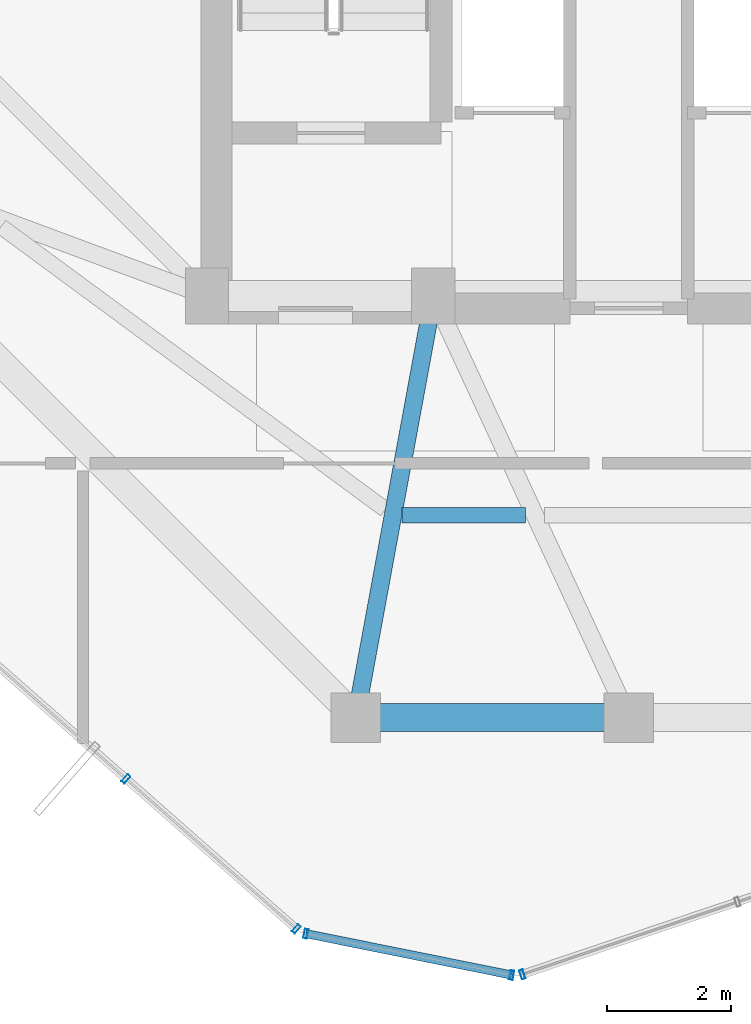
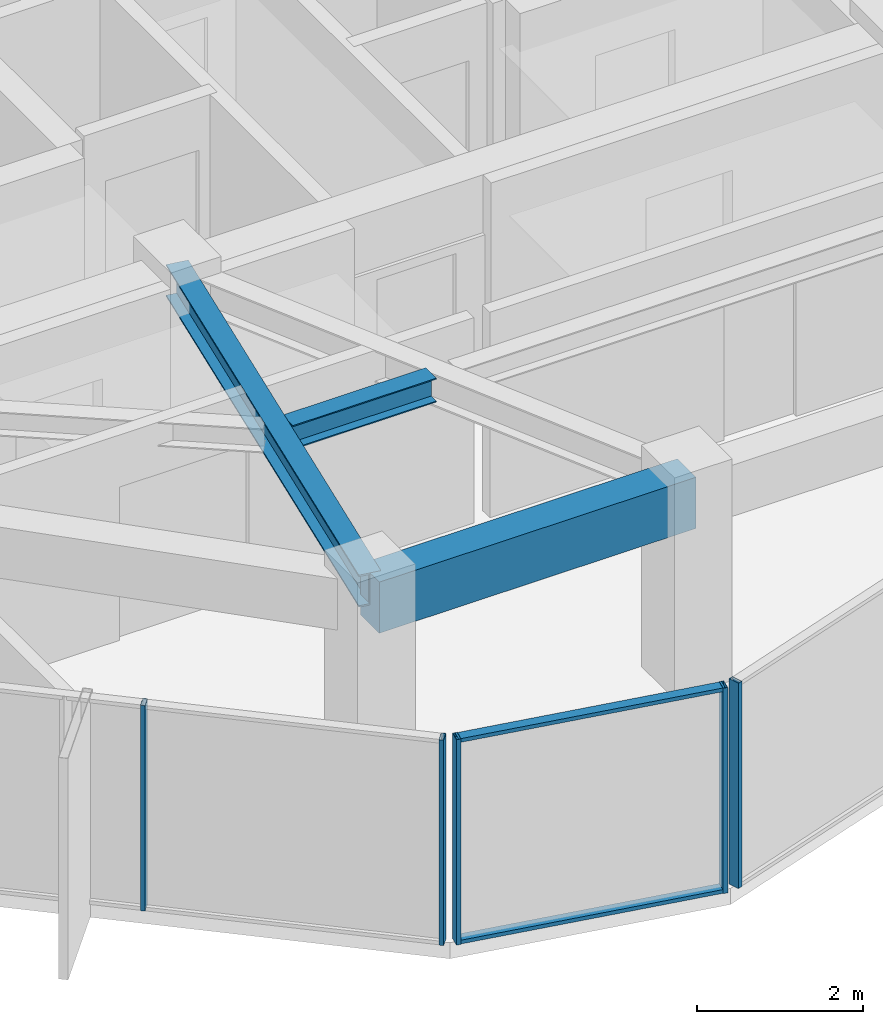
# One storey, part 4 of 28: 7 members, 3 beams, 3 elements without a shape of their own.
"""IFC4 building model written with IfcOpenShell, lengths in metres."""

from ifc_helpers import new_model, si_unit, direction, frame, origin, origin_2d, place, context, subcontext, project, spatial, rectangle, hollow_rectangle, i_section, extrude, source, transform, mapped, material, layer, layer_set, material_profile, profile_set, type_object, element, aggregate, save


model = new_model("IFC4")

# Units and contexts
model_context = context("Model", 3, precision=1e-05, world=origin(), true_north=direction((0.0, 1.0)))
body_context = subcontext(model_context, "Body", "Model", "MODEL_VIEW")
ifc_project = project(units=[si_unit("LENGTHUNIT", "METRE"), si_unit("AREAUNIT", "SQUARE_METRE"), si_unit("VOLUMEUNIT", "CUBIC_METRE"), si_unit("PLANEANGLEUNIT", "RADIAN"), si_unit("MASSUNIT", "GRAM", prefix="KILO")], contexts=[model_context])

# Site, building, storey
site_placement = place(None, origin())
site = spatial("IfcSite", under=ifc_project, at=site_placement, CompositionType="ELEMENT")
building_placement = place(site_placement, origin())
building = spatial("IfcBuilding", under=site, at=building_placement, Name="Veraguas Prism Commons", CompositionType="ELEMENT")
storey_placement = place(building_placement, frame((0.0, 0.0, 248.0)))
storey = spatial("IfcBuildingStorey", under=building, at=storey_placement, Name="L70", CompositionType="ELEMENT", Elevation=248.0)

# Beams
ifc_material_1 = material(Name="Concrete C50/60", Category="concrete")
ifc_material_profile_1 = material_profile(ifc_material_1, rectangle(XDim=0.449951171875, YDim=0.75, at=origin_2d()), Name="RC450X750")
ifc_profile_set_1 = profile_set([ifc_material_profile_1], Name="Concrete C50/60")
beam_type_1 = type_object("IfcBeamType", Name="Perimeter Spandrel Upper RC 450x750", PredefinedType="SPANDREL", material=ifc_profile_set_1)
beam_1_placement = place(storey_placement, frame((19.60009765625, 10.199951171875, 2.639892578125), z_axis=(1.0, 0.0, 0.0), x_axis=(0.0, 1.0, 0.0)))
element("IfcBeam", 1, at=beam_1_placement, inside=storey, type_object=beam_type_1, Name="Perimeter Spandrel Beam L70-SP10", PredefinedType="SPANDREL", context=body_context, shape_type="SweptSolid", body=[
    extrude(rectangle(XDim=0.449951171875, YDim=0.75, at=origin_2d()), origin(), (0.0, 0.0, 1.0), 4.39990234375),
])
ifc_material_2 = material(Name="Steel ASTM A992 Grade 50", Category="steel")
ifc_material_profile_2 = material_profile(ifc_material_2, i_section(OverallWidth=0.25390625, OverallDepth=0.35302734375, WebThickness=0.009521484375, FlangeThickness=0.016357421875, at=origin_2d()), Name="W360X91")
ifc_profile_set_2 = profile_set([ifc_material_profile_2], Name="Steel ASTM A992 Grade 50")
beam_type_2 = type_object("IfcBeamType", Name="Upper Floor Joist W360x91", PredefinedType="JOIST", material=ifc_profile_set_2)
beam_2_placement = place(storey_placement, frame((20.341796875, 13.464111328125, 2.83837890625), z_axis=(1.0, 0.0, 0.0), x_axis=(0.0, 1.0, 0.0)))
element("IfcBeam", 2, at=beam_2_placement, inside=storey, type_object=beam_type_2, Name="Composite Floor Joist L70-JS10", PredefinedType="JOIST", context=body_context, shape_type="SweptSolid", body=[
    extrude(i_section(OverallWidth=0.25390625, OverallDepth=0.35302734375, WebThickness=0.009521484375, FlangeThickness=0.016357421875, at=origin_2d()), origin(), (0.0, 0.0, 1.0), 1.992431640625),
])
ifc_material_profile_3 = material_profile(ifc_material_2, i_section(OverallWidth=0.282958984375, OverallDepth=0.471923828125, WebThickness=0.013671875, FlangeThickness=0.022216796875, at=origin_2d()), Name="W460X144")
ifc_profile_set_3 = profile_set([ifc_material_profile_3], Name="Steel ASTM A992 Grade 50")
beam_type_3 = type_object("IfcBeamType", Name="Zone 4 Radial Girder W460x144", PredefinedType="BEAM", material=ifc_profile_set_3)
beam_3_placement = place(storey_placement, frame((19.60009765625, 10.199951171875, 2.779052734375), z_axis=(0.180793033327, 0.983521163524, 0.0), x_axis=(-0.983521163524, 0.180793033327, 0.0)))
element("IfcBeam", 3, at=beam_3_placement, inside=storey, type_object=beam_type_3, Name="Radial Floor Girder L70-RD10", PredefinedType="BEAM", context=body_context, shape_type="SweptSolid", body=[
    extrude(i_section(OverallWidth=0.282958984375, OverallDepth=0.471923828125, WebThickness=0.013671875, FlangeThickness=0.022216796875, at=origin_2d()), origin(), (0.0, 0.0, 1.0), 6.9140625),
])

# Curtain wall, members
ifc_material_3 = material(Name="Anodised aluminium EN AW-6063 T6", Category="aluminium")
ifc_layer = layer(ifc_material_3, 0.14990234375, Name="Unitised Flush Curtain Wall Zone 4", Category="aluminium")
ifc_layer_set = layer_set([ifc_layer], Name="Anodised aluminium EN AW-6063 T6")
curtain_wall_type = type_object("IfcCurtainWallType", Name="Unitised Flush Curtain Wall Zone 4", PredefinedType="NOTDEFINED", material=ifc_layer_set)
curtain_wall_1_placement = place(storey_placement, origin())
curtain_wall_1 = element("IfcCurtainWall", 4, at=curtain_wall_1_placement, inside=storey, type_object=curtain_wall_type, Name="Tower Facade Curtain Wall L70-F4", PredefinedType="NOTDEFINED")
ifc_material_profile_4 = material_profile(ifc_material_3, hollow_rectangle(XDim=0.06005859375, YDim=0.14990234375, WallThickness=0.0029296875, at=origin_2d()), Name="AL60X150X3")
ifc_profile_set_4 = profile_set([ifc_material_profile_4], Name="Anodised aluminium EN AW-6063 T6")
member_type_1 = type_object("IfcMemberType", Name="Curtain Wall Mullion Upper AL 60x150x3", PredefinedType="MULLION", material=ifc_profile_set_4)
shared_shape_1 = source(origin(), body_context, "Body", "SweptSolid", [
    extrude(hollow_rectangle(XDim=0.06005859375, YDim=0.14990234375, WallThickness=0.0029296875, at=origin_2d()), origin(), (0.0, 0.0, 1.0), 3.014892578125),
])
member_1_placement = place(storey_placement, frame((15.892822265625, 9.213134765625, 0.0), z_axis=(0.0, 0.0, 1.0), x_axis=(0.750347634036, -0.661043438888, 0.0)))
member_1 = element("IfcMember", 5, at=member_1_placement, type_object=member_type_1, Name="CW-Z4 Mullion 4", PredefinedType="MULLION", context=body_context, shape_type="MappedRepresentation", body=[
    mapped(shared_shape_1, transform((0.0, 0.0, 0.0), scale=1.0)),
])
member_2_placement = place(storey_placement, frame((18.64013671875, 6.792724609375, 0.0), z_axis=(0.0, 0.0, 1.0), x_axis=(0.750347634036, -0.661043438888, 0.0)))
member_2 = element("IfcMember", 6, at=member_2_placement, type_object=member_type_1, Name="CW-Z4 Mullion 5", PredefinedType="MULLION", context=body_context, shape_type="MappedRepresentation", body=[
    mapped(shared_shape_1, transform((0.0, 0.0, 0.0), scale=1.0)),
])
aggregate(curtain_wall_1, [member_1, member_2])

# Curtain wall, member
curtain_wall_2_placement = place(storey_placement, origin())
curtain_wall_2 = element("IfcCurtainWall", 7, at=curtain_wall_2_placement, inside=storey, type_object=curtain_wall_type, Name="Tower Facade Curtain Wall L70-F5", PredefinedType="NOTDEFINED")
member_3_placement = place(storey_placement, frame((22.28564453125, 6.05908203125, 0.0), z_axis=(0.0, 0.0, 1.0), x_axis=(0.94765924351, 0.319283507543, 0.0)))
member_3 = element("IfcMember", 8, at=member_3_placement, type_object=member_type_1, Name="CW-Z4 Mullion 1", PredefinedType="MULLION", context=body_context, shape_type="MappedRepresentation", body=[
    mapped(shared_shape_1, transform((0.0, 0.0, 0.0), scale=1.0)),
])
aggregate(curtain_wall_2, [member_3])

# Curtain wall, members
curtain_wall_3_placement = place(storey_placement, origin())
curtain_wall_3 = element("IfcCurtainWall", 9, at=curtain_wall_3_placement, inside=storey, type_object=curtain_wall_type, Name="Chamfer Curtain Wall L70-C5", PredefinedType="NOTDEFINED")
member_4_placement = place(storey_placement, frame((18.7958984375, 6.715576171875, 0.0), z_axis=(0.0, 0.0, 1.0), x_axis=(0.980338732783, -0.197321993213, 0.0)))
member_4 = element("IfcMember", 10, at=member_4_placement, type_object=member_type_1, Name="CW-Z4 Mullion 1", PredefinedType="MULLION", context=body_context, shape_type="MappedRepresentation", body=[
    mapped(shared_shape_1, transform((0.0, 0.0, 0.0), scale=1.0)),
])
member_5_placement = place(storey_placement, frame((22.112060546875, 6.048095703125, 0.0), z_axis=(0.0, 0.0, 1.0), x_axis=(0.980338732783, -0.197321993213, 0.0)))
member_5 = element("IfcMember", 11, at=member_5_placement, type_object=member_type_1, Name="CW-Z4 Mullion 2", PredefinedType="MULLION", context=body_context, shape_type="MappedRepresentation", body=[
    mapped(shared_shape_1, transform((0.0, 0.0, 0.0), scale=1.0)),
])
ifc_material_profile_5 = material_profile(ifc_material_3, hollow_rectangle(XDim=0.054931640625, YDim=0.135009765625, WallThickness=0.0029296875, at=origin_2d()), Name="AL55X135X3")
ifc_profile_set_5 = profile_set([ifc_material_profile_5], Name="Anodised aluminium EN AW-6063 T6")
member_type_2 = type_object("IfcMemberType", Name="Curtain Wall Transom Standard AL 55x135x3", PredefinedType="USERDEFINED", material=ifc_profile_set_5)
shared_shape_2 = source(origin(), body_context, "Body", "SweptSolid", [
    extrude(hollow_rectangle(XDim=0.054931640625, YDim=0.135009765625, WallThickness=0.0029296875, at=origin_2d()), origin(), (0.0, 0.0, 1.0), 3.382568359375),
])
member_6_placement = place(storey_placement, frame((18.7958984375, 6.715576171875, 0.027587890625), z_axis=(0.980338427136, -0.197323511727, 0.0), x_axis=(0.0, 0.0, 1.0)))
member_6 = element("IfcMember", 12, at=member_6_placement, type_object=member_type_2, Name="CW-Z4 Transom 1", ObjectType="TRANSOM", PredefinedType="USERDEFINED", context=body_context, shape_type="MappedRepresentation", body=[
    mapped(shared_shape_2, transform((0.0, 0.0, 0.0), scale=1.0)),
])
member_7_placement = place(storey_placement, frame((18.7958984375, 6.715576171875, 2.987548828125), z_axis=(0.980338427136, -0.197323511727, 0.0), x_axis=(0.0, 0.0, 1.0)))
member_7 = element("IfcMember", 13, at=member_7_placement, type_object=member_type_2, Name="CW-Z4 Transom 2", ObjectType="TRANSOM", PredefinedType="USERDEFINED", context=body_context, shape_type="MappedRepresentation", body=[
    mapped(shared_shape_2, transform((0.0, 0.0, 0.0), scale=1.0)),
])
aggregate(curtain_wall_3, [member_4, member_5, member_6, member_7])

save(model, "model.ifc")
